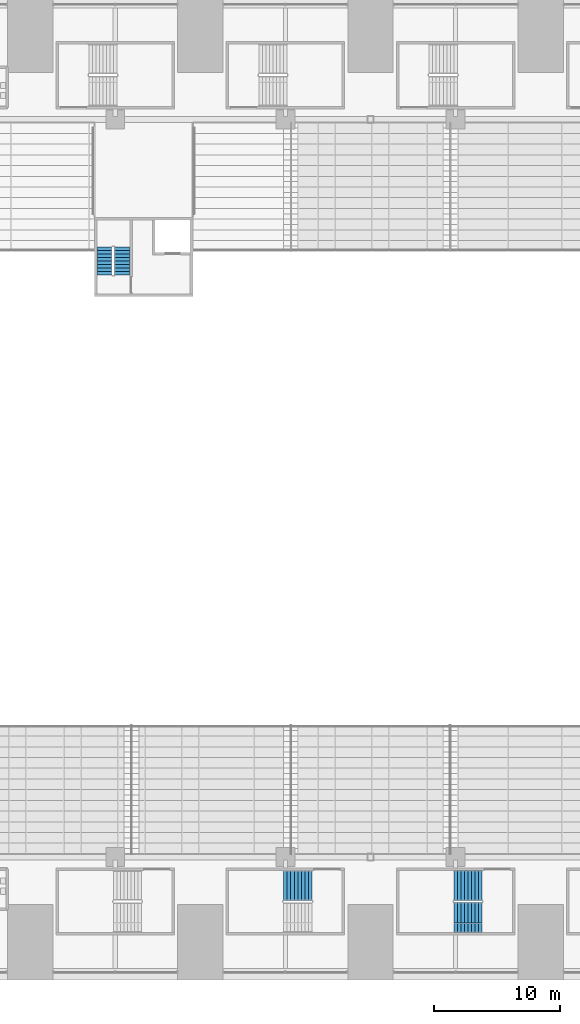
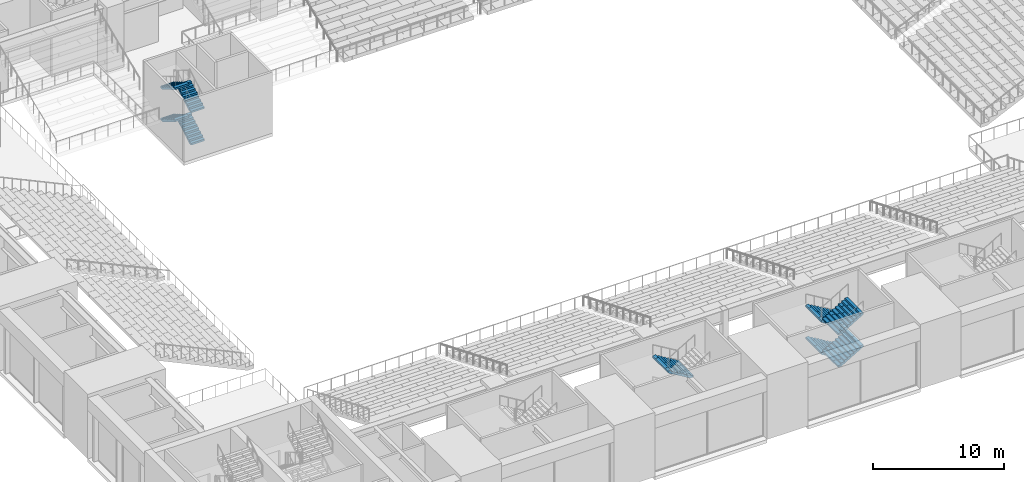
# One storey, part 38 of 61: 9 stair flights, 3 elements without a shape of their own.
"""IFC4 building model written with IfcOpenShell, lengths in metres."""

from ifc_helpers import new_model, si_unit, direction, frame, origin, place, context, subcontext, project, spatial, polyline, outline, extrude, material, type_object, element, aggregate, save


model = new_model("IFC4")

# Units and contexts
model_context = context("Model", 3, precision=1e-05, world=origin(), true_north=direction((0.0, 1.0)))
body_context = subcontext(model_context, "Body", "Model", "MODEL_VIEW")
ifc_project = project(units=[si_unit("LENGTHUNIT", "METRE"), si_unit("AREAUNIT", "SQUARE_METRE"), si_unit("VOLUMEUNIT", "CUBIC_METRE"), si_unit("PLANEANGLEUNIT", "RADIAN"), si_unit("MASSUNIT", "GRAM", prefix="KILO")], contexts=[model_context])

# Site, building, storey
site_placement = place(None, origin())
site = spatial("IfcSite", under=ifc_project, at=site_placement, CompositionType="ELEMENT")
building_placement = place(site_placement, origin())
building = spatial("IfcBuilding", under=site, at=building_placement, Name="Corbelhall Arena Tower", CompositionType="ELEMENT")
storey_placement = place(building_placement, frame((0.0, 0.0, 31.0)))
storey = spatial("IfcBuildingStorey", under=building, at=storey_placement, Name="L04", CompositionType="ELEMENT", Elevation=31.0)

# Stair, stair flight
ifc_material_1 = material(Name="Reinforced concrete C40/50", Category="concrete")
stair_type_1 = type_object("IfcStairType", Name="AR-EXIT-STAIR", PredefinedType="HALF_TURN_STAIR", material=ifc_material_1)
stair_1_placement = place(storey_placement, origin())
stair_1 = element("IfcStair", 1, at=stair_1_placement, inside=storey, type_object=stair_type_1, Name="L04 exit stair AS14", PredefinedType="HALF_TURN_STAIR")
stair_flight_type_1 = type_object("IfcStairFlightType", Name="AR-EXIT-FLIGHT", PredefinedType="STRAIGHT", material=ifc_material_1)
stair_flight_1_placement = place(storey_placement, frame((-4.64990234375, -31.5, 3.0), z_axis=(0.0, 0.0, 1.0), x_axis=(-1.0, 0.0, 0.0)))
stair_flight_1 = element("IfcStairFlight", 2, at=stair_flight_1_placement, type_object=stair_flight_type_1, Name="AS14 flight 3", NumberOfRisers=9, NumberOfTreads=8, PredefinedType="STRAIGHT", RiserHeight=0.166666667, TreadLength=0.28, context=body_context, shape_type="SweptSolid", body=[
    extrude(outline(polyline([(0.0, 0.0), (0.0, 0.166748046875), (0.280029296875, 0.166748046875), (0.280029296875, 0.333251953125), (0.56005859375, 0.333251953125), (0.56005859375, 0.5), (0.840087890625, 0.5), (0.840087890625, 0.666748046875), (1.1201171875, 0.666748046875), (1.1201171875, 0.833251953125), (1.39990234375, 0.833251953125), (1.39990234375, 1.0), (1.679931640625, 1.0), (1.679931640625, 1.166748046875), (1.9599609375, 1.166748046875), (1.9599609375, 1.333251953125), (2.239990234375, 1.333251953125), (2.239990234375, 1.5), (2.239990234375, 1.158935546875), (0.29296875, 0.0), (0.0, 0.0)])), frame((0.0, 1.199951171875, 0.0), z_axis=(0.0, -1.0, 0.0), x_axis=(1.0, 0.0, 0.0)), (0.0, 0.0, 1.0), 0.449951171875),
    extrude(outline(polyline([(0.0, 0.0), (0.0, 0.166748046875), (0.280029296875, 0.166748046875), (0.280029296875, 0.333251953125), (0.56005859375, 0.333251953125), (0.56005859375, 0.5), (0.840087890625, 0.5), (0.840087890625, 0.666748046875), (1.1201171875, 0.666748046875), (1.1201171875, 0.833251953125), (1.39990234375, 0.833251953125), (1.39990234375, 1.0), (1.679931640625, 1.0), (1.679931640625, 1.166748046875), (1.9599609375, 1.166748046875), (1.9599609375, 1.333251953125), (2.239990234375, 1.333251953125), (2.239990234375, 1.5), (2.239990234375, 1.158935546875), (0.29296875, 0.0), (0.0, 0.0)])), frame((0.0, 0.745849609375, 0.0), z_axis=(0.0, -1.0, 0.0), x_axis=(1.0, 0.0, 0.0)), (0.0, 0.0, 1.0), 0.295166015625),
    extrude(outline(polyline([(0.0, 0.0), (0.0, 0.166748046875), (0.280029296875, 0.166748046875), (0.280029296875, 0.333251953125), (0.56005859375, 0.333251953125), (0.56005859375, 0.5), (0.840087890625, 0.5), (0.840087890625, 0.666748046875), (1.1201171875, 0.666748046875), (1.1201171875, 0.833251953125), (1.39990234375, 0.833251953125), (1.39990234375, 1.0), (1.679931640625, 1.0), (1.679931640625, 1.166748046875), (1.9599609375, 1.166748046875), (1.9599609375, 1.333251953125), (2.239990234375, 1.333251953125), (2.239990234375, 1.5), (2.239990234375, 1.158935546875), (0.29296875, 0.0), (0.0, 0.0)])), frame((0.0, 0.44677734375, 0.0), z_axis=(0.0, -1.0, 0.0), x_axis=(1.0, 0.0, 0.0)), (0.0, 0.0, 1.0), 0.295166015625),
    extrude(outline(polyline([(0.0, 0.0), (0.0, 0.166748046875), (0.280029296875, 0.166748046875), (0.280029296875, 0.333251953125), (0.56005859375, 0.333251953125), (0.56005859375, 0.5), (0.840087890625, 0.5), (0.840087890625, 0.666748046875), (1.1201171875, 0.666748046875), (1.1201171875, 0.833251953125), (1.39990234375, 0.833251953125), (1.39990234375, 1.0), (1.679931640625, 1.0), (1.679931640625, 1.166748046875), (1.9599609375, 1.166748046875), (1.9599609375, 1.333251953125), (2.239990234375, 1.333251953125), (2.239990234375, 1.5), (2.239990234375, 1.158935546875), (0.29296875, 0.0), (0.0, 0.0)])), frame((0.0, 0.147705078125, 0.0), z_axis=(0.0, -1.0, 0.0), x_axis=(1.0, 0.0, 0.0)), (0.0, 0.0, 1.0), 0.295166015625),
    extrude(outline(polyline([(0.0, 0.0), (0.0, 0.166748046875), (0.280029296875, 0.166748046875), (0.280029296875, 0.333251953125), (0.56005859375, 0.333251953125), (0.56005859375, 0.5), (0.840087890625, 0.5), (0.840087890625, 0.666748046875), (1.1201171875, 0.666748046875), (1.1201171875, 0.833251953125), (1.39990234375, 0.833251953125), (1.39990234375, 1.0), (1.679931640625, 1.0), (1.679931640625, 1.166748046875), (1.9599609375, 1.166748046875), (1.9599609375, 1.333251953125), (2.239990234375, 1.333251953125), (2.239990234375, 1.5), (2.239990234375, 1.158935546875), (0.29296875, 0.0), (0.0, 0.0)])), frame((0.0, -0.151611328125, 0.0), z_axis=(0.0, -1.0, 0.0), x_axis=(1.0, 0.0, 0.0)), (0.0, 0.0, 1.0), 0.295166015625),
    extrude(outline(polyline([(0.0, 0.0), (0.0, 0.166748046875), (0.280029296875, 0.166748046875), (0.280029296875, 0.333251953125), (0.56005859375, 0.333251953125), (0.56005859375, 0.5), (0.840087890625, 0.5), (0.840087890625, 0.666748046875), (1.1201171875, 0.666748046875), (1.1201171875, 0.833251953125), (1.39990234375, 0.833251953125), (1.39990234375, 1.0), (1.679931640625, 1.0), (1.679931640625, 1.166748046875), (1.9599609375, 1.166748046875), (1.9599609375, 1.333251953125), (2.239990234375, 1.333251953125), (2.239990234375, 1.5), (2.239990234375, 1.158935546875), (0.29296875, 0.0), (0.0, 0.0)])), frame((0.0, -0.45068359375, 0.0), z_axis=(0.0, -1.0, 0.0), x_axis=(1.0, 0.0, 0.0)), (0.0, 0.0, 1.0), 0.295166015625),
    extrude(outline(polyline([(0.0, 0.0), (0.0, 0.166748046875), (0.280029296875, 0.166748046875), (0.280029296875, 0.333251953125), (0.56005859375, 0.333251953125), (0.56005859375, 0.5), (0.840087890625, 0.5), (0.840087890625, 0.666748046875), (1.1201171875, 0.666748046875), (1.1201171875, 0.833251953125), (1.39990234375, 0.833251953125), (1.39990234375, 1.0), (1.679931640625, 1.0), (1.679931640625, 1.166748046875), (1.9599609375, 1.166748046875), (1.9599609375, 1.333251953125), (2.239990234375, 1.333251953125), (2.239990234375, 1.5), (2.239990234375, 1.158935546875), (0.29296875, 0.0), (0.0, 0.0)])), frame((0.0, -0.75, 0.0), z_axis=(0.0, -1.0, 0.0), x_axis=(1.0, 0.0, 0.0)), (0.0, 0.0, 1.0), 0.449951171875),
])
aggregate(stair_1, [stair_flight_1])

# Stair, stair flights
stair_2_placement = place(storey_placement, origin())
stair_2 = element("IfcStair", 3, at=stair_2_placement, inside=storey, type_object=stair_type_1, Name="L04 exit stair AS15", PredefinedType="HALF_TURN_STAIR")
stair_flight_2_placement = place(storey_placement, frame((8.85009765625, -31.5, 0.0), z_axis=(0.0, 0.0, 1.0), x_axis=(-1.0, 0.0, 0.0)))
stair_flight_2 = element("IfcStairFlight", 4, at=stair_flight_2_placement, type_object=stair_flight_type_1, Name="AS15 flight 1", NumberOfRisers=9, NumberOfTreads=8, PredefinedType="STRAIGHT", RiserHeight=0.166666667, TreadLength=0.28, context=body_context, shape_type="SweptSolid", body=[
    extrude(outline(polyline([(0.0, 0.0), (0.0, 0.166748046875), (0.280029296875, 0.166748046875), (0.280029296875, 0.333251953125), (0.56005859375, 0.333251953125), (0.56005859375, 0.5), (0.840087890625, 0.5), (0.840087890625, 0.666748046875), (1.1201171875, 0.666748046875), (1.1201171875, 0.833251953125), (1.39990234375, 0.833251953125), (1.39990234375, 1.0), (1.679931640625, 1.0), (1.679931640625, 1.166748046875), (1.9599609375, 1.166748046875), (1.9599609375, 1.333251953125), (2.239990234375, 1.333251953125), (2.239990234375, 1.5), (2.239990234375, 1.158935546875), (0.29296875, 0.0), (0.0, 0.0)])), frame((0.0, 1.199951171875, 0.0), z_axis=(0.0, -1.0, 0.0), x_axis=(1.0, 0.0, 0.0)), (0.0, 0.0, 1.0), 0.449951171875),
    extrude(outline(polyline([(0.0, 0.0), (0.0, 0.166748046875), (0.280029296875, 0.166748046875), (0.280029296875, 0.333251953125), (0.56005859375, 0.333251953125), (0.56005859375, 0.5), (0.840087890625, 0.5), (0.840087890625, 0.666748046875), (1.1201171875, 0.666748046875), (1.1201171875, 0.833251953125), (1.39990234375, 0.833251953125), (1.39990234375, 1.0), (1.679931640625, 1.0), (1.679931640625, 1.166748046875), (1.9599609375, 1.166748046875), (1.9599609375, 1.333251953125), (2.239990234375, 1.333251953125), (2.239990234375, 1.5), (2.239990234375, 1.158935546875), (0.29296875, 0.0), (0.0, 0.0)])), frame((0.0, 0.745849609375, 0.0), z_axis=(0.0, -1.0, 0.0), x_axis=(1.0, 0.0, 0.0)), (0.0, 0.0, 1.0), 0.295166015625),
    extrude(outline(polyline([(0.0, 0.0), (0.0, 0.166748046875), (0.280029296875, 0.166748046875), (0.280029296875, 0.333251953125), (0.56005859375, 0.333251953125), (0.56005859375, 0.5), (0.840087890625, 0.5), (0.840087890625, 0.666748046875), (1.1201171875, 0.666748046875), (1.1201171875, 0.833251953125), (1.39990234375, 0.833251953125), (1.39990234375, 1.0), (1.679931640625, 1.0), (1.679931640625, 1.166748046875), (1.9599609375, 1.166748046875), (1.9599609375, 1.333251953125), (2.239990234375, 1.333251953125), (2.239990234375, 1.5), (2.239990234375, 1.158935546875), (0.29296875, 0.0), (0.0, 0.0)])), frame((0.0, 0.44677734375, 0.0), z_axis=(0.0, -1.0, 0.0), x_axis=(1.0, 0.0, 0.0)), (0.0, 0.0, 1.0), 0.295166015625),
    extrude(outline(polyline([(0.0, 0.0), (0.0, 0.166748046875), (0.280029296875, 0.166748046875), (0.280029296875, 0.333251953125), (0.56005859375, 0.333251953125), (0.56005859375, 0.5), (0.840087890625, 0.5), (0.840087890625, 0.666748046875), (1.1201171875, 0.666748046875), (1.1201171875, 0.833251953125), (1.39990234375, 0.833251953125), (1.39990234375, 1.0), (1.679931640625, 1.0), (1.679931640625, 1.166748046875), (1.9599609375, 1.166748046875), (1.9599609375, 1.333251953125), (2.239990234375, 1.333251953125), (2.239990234375, 1.5), (2.239990234375, 1.158935546875), (0.29296875, 0.0), (0.0, 0.0)])), frame((0.0, 0.147705078125, 0.0), z_axis=(0.0, -1.0, 0.0), x_axis=(1.0, 0.0, 0.0)), (0.0, 0.0, 1.0), 0.295166015625),
    extrude(outline(polyline([(0.0, 0.0), (0.0, 0.166748046875), (0.280029296875, 0.166748046875), (0.280029296875, 0.333251953125), (0.56005859375, 0.333251953125), (0.56005859375, 0.5), (0.840087890625, 0.5), (0.840087890625, 0.666748046875), (1.1201171875, 0.666748046875), (1.1201171875, 0.833251953125), (1.39990234375, 0.833251953125), (1.39990234375, 1.0), (1.679931640625, 1.0), (1.679931640625, 1.166748046875), (1.9599609375, 1.166748046875), (1.9599609375, 1.333251953125), (2.239990234375, 1.333251953125), (2.239990234375, 1.5), (2.239990234375, 1.158935546875), (0.29296875, 0.0), (0.0, 0.0)])), frame((0.0, -0.151611328125, 0.0), z_axis=(0.0, -1.0, 0.0), x_axis=(1.0, 0.0, 0.0)), (0.0, 0.0, 1.0), 0.295166015625),
    extrude(outline(polyline([(0.0, 0.0), (0.0, 0.166748046875), (0.280029296875, 0.166748046875), (0.280029296875, 0.333251953125), (0.56005859375, 0.333251953125), (0.56005859375, 0.5), (0.840087890625, 0.5), (0.840087890625, 0.666748046875), (1.1201171875, 0.666748046875), (1.1201171875, 0.833251953125), (1.39990234375, 0.833251953125), (1.39990234375, 1.0), (1.679931640625, 1.0), (1.679931640625, 1.166748046875), (1.9599609375, 1.166748046875), (1.9599609375, 1.333251953125), (2.239990234375, 1.333251953125), (2.239990234375, 1.5), (2.239990234375, 1.158935546875), (0.29296875, 0.0), (0.0, 0.0)])), frame((0.0, -0.45068359375, 0.0), z_axis=(0.0, -1.0, 0.0), x_axis=(1.0, 0.0, 0.0)), (0.0, 0.0, 1.0), 0.295166015625),
    extrude(outline(polyline([(0.0, 0.0), (0.0, 0.166748046875), (0.280029296875, 0.166748046875), (0.280029296875, 0.333251953125), (0.56005859375, 0.333251953125), (0.56005859375, 0.5), (0.840087890625, 0.5), (0.840087890625, 0.666748046875), (1.1201171875, 0.666748046875), (1.1201171875, 0.833251953125), (1.39990234375, 0.833251953125), (1.39990234375, 1.0), (1.679931640625, 1.0), (1.679931640625, 1.166748046875), (1.9599609375, 1.166748046875), (1.9599609375, 1.333251953125), (2.239990234375, 1.333251953125), (2.239990234375, 1.5), (2.239990234375, 1.158935546875), (0.29296875, 0.0), (0.0, 0.0)])), frame((0.0, -0.75, 0.0), z_axis=(0.0, -1.0, 0.0), x_axis=(1.0, 0.0, 0.0)), (0.0, 0.0, 1.0), 0.449951171875),
])
stair_flight_3_placement = place(storey_placement, frame((6.610107421875, -34.050048828125, 1.5), z_axis=(0.0, 0.0, 1.0), x_axis=(1.0, 0.0, 0.0)))
stair_flight_3 = element("IfcStairFlight", 5, at=stair_flight_3_placement, type_object=stair_flight_type_1, Name="AS15 flight 2", NumberOfRisers=9, NumberOfTreads=8, PredefinedType="STRAIGHT", RiserHeight=0.166666667, TreadLength=0.28, context=body_context, shape_type="SweptSolid", body=[
    extrude(outline(polyline([(0.0, 0.0), (0.0, 0.166748046875), (0.280029296875, 0.166748046875), (0.280029296875, 0.333251953125), (0.56005859375, 0.333251953125), (0.56005859375, 0.5), (0.840087890625, 0.5), (0.840087890625, 0.666748046875), (1.1201171875, 0.666748046875), (1.1201171875, 0.833251953125), (1.39990234375, 0.833251953125), (1.39990234375, 1.0), (1.679931640625, 1.0), (1.679931640625, 1.166748046875), (1.9599609375, 1.166748046875), (1.9599609375, 1.333251953125), (2.239990234375, 1.333251953125), (2.239990234375, 1.5), (2.239990234375, 1.158935546875), (0.29296875, 0.0), (0.0, 0.0)])), frame((0.0, 1.199951171875, 0.0), z_axis=(0.0, -1.0, 0.0), x_axis=(1.0, 0.0, 0.0)), (0.0, 0.0, 1.0), 0.449951171875),
    extrude(outline(polyline([(0.0, 0.0), (0.0, 0.166748046875), (0.280029296875, 0.166748046875), (0.280029296875, 0.333251953125), (0.56005859375, 0.333251953125), (0.56005859375, 0.5), (0.840087890625, 0.5), (0.840087890625, 0.666748046875), (1.1201171875, 0.666748046875), (1.1201171875, 0.833251953125), (1.39990234375, 0.833251953125), (1.39990234375, 1.0), (1.679931640625, 1.0), (1.679931640625, 1.166748046875), (1.9599609375, 1.166748046875), (1.9599609375, 1.333251953125), (2.239990234375, 1.333251953125), (2.239990234375, 1.5), (2.239990234375, 1.158935546875), (0.29296875, 0.0), (0.0, 0.0)])), frame((0.0, 0.745849609375, 0.0), z_axis=(0.0, -1.0, 0.0), x_axis=(1.0, 0.0, 0.0)), (0.0, 0.0, 1.0), 0.295166015625),
    extrude(outline(polyline([(0.0, 0.0), (0.0, 0.166748046875), (0.280029296875, 0.166748046875), (0.280029296875, 0.333251953125), (0.56005859375, 0.333251953125), (0.56005859375, 0.5), (0.840087890625, 0.5), (0.840087890625, 0.666748046875), (1.1201171875, 0.666748046875), (1.1201171875, 0.833251953125), (1.39990234375, 0.833251953125), (1.39990234375, 1.0), (1.679931640625, 1.0), (1.679931640625, 1.166748046875), (1.9599609375, 1.166748046875), (1.9599609375, 1.333251953125), (2.239990234375, 1.333251953125), (2.239990234375, 1.5), (2.239990234375, 1.158935546875), (0.29296875, 0.0), (0.0, 0.0)])), frame((0.0, 0.44677734375, 0.0), z_axis=(0.0, -1.0, 0.0), x_axis=(1.0, 0.0, 0.0)), (0.0, 0.0, 1.0), 0.295166015625),
    extrude(outline(polyline([(0.0, 0.0), (0.0, 0.166748046875), (0.280029296875, 0.166748046875), (0.280029296875, 0.333251953125), (0.56005859375, 0.333251953125), (0.56005859375, 0.5), (0.840087890625, 0.5), (0.840087890625, 0.666748046875), (1.1201171875, 0.666748046875), (1.1201171875, 0.833251953125), (1.39990234375, 0.833251953125), (1.39990234375, 1.0), (1.679931640625, 1.0), (1.679931640625, 1.166748046875), (1.9599609375, 1.166748046875), (1.9599609375, 1.333251953125), (2.239990234375, 1.333251953125), (2.239990234375, 1.5), (2.239990234375, 1.158935546875), (0.29296875, 0.0), (0.0, 0.0)])), frame((0.0, 0.147705078125, 0.0), z_axis=(0.0, -1.0, 0.0), x_axis=(1.0, 0.0, 0.0)), (0.0, 0.0, 1.0), 0.295166015625),
    extrude(outline(polyline([(0.0, 0.0), (0.0, 0.166748046875), (0.280029296875, 0.166748046875), (0.280029296875, 0.333251953125), (0.56005859375, 0.333251953125), (0.56005859375, 0.5), (0.840087890625, 0.5), (0.840087890625, 0.666748046875), (1.1201171875, 0.666748046875), (1.1201171875, 0.833251953125), (1.39990234375, 0.833251953125), (1.39990234375, 1.0), (1.679931640625, 1.0), (1.679931640625, 1.166748046875), (1.9599609375, 1.166748046875), (1.9599609375, 1.333251953125), (2.239990234375, 1.333251953125), (2.239990234375, 1.5), (2.239990234375, 1.158935546875), (0.29296875, 0.0), (0.0, 0.0)])), frame((0.0, -0.151611328125, 0.0), z_axis=(0.0, -1.0, 0.0), x_axis=(1.0, 0.0, 0.0)), (0.0, 0.0, 1.0), 0.295166015625),
    extrude(outline(polyline([(0.0, 0.0), (0.0, 0.166748046875), (0.280029296875, 0.166748046875), (0.280029296875, 0.333251953125), (0.56005859375, 0.333251953125), (0.56005859375, 0.5), (0.840087890625, 0.5), (0.840087890625, 0.666748046875), (1.1201171875, 0.666748046875), (1.1201171875, 0.833251953125), (1.39990234375, 0.833251953125), (1.39990234375, 1.0), (1.679931640625, 1.0), (1.679931640625, 1.166748046875), (1.9599609375, 1.166748046875), (1.9599609375, 1.333251953125), (2.239990234375, 1.333251953125), (2.239990234375, 1.5), (2.239990234375, 1.158935546875), (0.29296875, 0.0), (0.0, 0.0)])), frame((0.0, -0.45068359375, 0.0), z_axis=(0.0, -1.0, 0.0), x_axis=(1.0, 0.0, 0.0)), (0.0, 0.0, 1.0), 0.295166015625),
    extrude(outline(polyline([(0.0, 0.0), (0.0, 0.166748046875), (0.280029296875, 0.166748046875), (0.280029296875, 0.333251953125), (0.56005859375, 0.333251953125), (0.56005859375, 0.5), (0.840087890625, 0.5), (0.840087890625, 0.666748046875), (1.1201171875, 0.666748046875), (1.1201171875, 0.833251953125), (1.39990234375, 0.833251953125), (1.39990234375, 1.0), (1.679931640625, 1.0), (1.679931640625, 1.166748046875), (1.9599609375, 1.166748046875), (1.9599609375, 1.333251953125), (2.239990234375, 1.333251953125), (2.239990234375, 1.5), (2.239990234375, 1.158935546875), (0.29296875, 0.0), (0.0, 0.0)])), frame((0.0, -0.75, 0.0), z_axis=(0.0, -1.0, 0.0), x_axis=(1.0, 0.0, 0.0)), (0.0, 0.0, 1.0), 0.449951171875),
])
stair_flight_4_placement = place(storey_placement, frame((8.85009765625, -31.5, 3.0), z_axis=(0.0, 0.0, 1.0), x_axis=(-1.0, 0.0, 0.0)))
stair_flight_4 = element("IfcStairFlight", 6, at=stair_flight_4_placement, type_object=stair_flight_type_1, Name="AS15 flight 3", NumberOfRisers=9, NumberOfTreads=8, PredefinedType="STRAIGHT", RiserHeight=0.166666667, TreadLength=0.28, context=body_context, shape_type="SweptSolid", body=[
    extrude(outline(polyline([(0.0, 0.0), (0.0, 0.166748046875), (0.280029296875, 0.166748046875), (0.280029296875, 0.333251953125), (0.56005859375, 0.333251953125), (0.56005859375, 0.5), (0.840087890625, 0.5), (0.840087890625, 0.666748046875), (1.1201171875, 0.666748046875), (1.1201171875, 0.833251953125), (1.39990234375, 0.833251953125), (1.39990234375, 1.0), (1.679931640625, 1.0), (1.679931640625, 1.166748046875), (1.9599609375, 1.166748046875), (1.9599609375, 1.333251953125), (2.239990234375, 1.333251953125), (2.239990234375, 1.5), (2.239990234375, 1.158935546875), (0.29296875, 0.0), (0.0, 0.0)])), frame((0.0, 1.199951171875, 0.0), z_axis=(0.0, -1.0, 0.0), x_axis=(1.0, 0.0, 0.0)), (0.0, 0.0, 1.0), 0.449951171875),
    extrude(outline(polyline([(0.0, 0.0), (0.0, 0.166748046875), (0.280029296875, 0.166748046875), (0.280029296875, 0.333251953125), (0.56005859375, 0.333251953125), (0.56005859375, 0.5), (0.840087890625, 0.5), (0.840087890625, 0.666748046875), (1.1201171875, 0.666748046875), (1.1201171875, 0.833251953125), (1.39990234375, 0.833251953125), (1.39990234375, 1.0), (1.679931640625, 1.0), (1.679931640625, 1.166748046875), (1.9599609375, 1.166748046875), (1.9599609375, 1.333251953125), (2.239990234375, 1.333251953125), (2.239990234375, 1.5), (2.239990234375, 1.158935546875), (0.29296875, 0.0), (0.0, 0.0)])), frame((0.0, 0.745849609375, 0.0), z_axis=(0.0, -1.0, 0.0), x_axis=(1.0, 0.0, 0.0)), (0.0, 0.0, 1.0), 0.295166015625),
    extrude(outline(polyline([(0.0, 0.0), (0.0, 0.166748046875), (0.280029296875, 0.166748046875), (0.280029296875, 0.333251953125), (0.56005859375, 0.333251953125), (0.56005859375, 0.5), (0.840087890625, 0.5), (0.840087890625, 0.666748046875), (1.1201171875, 0.666748046875), (1.1201171875, 0.833251953125), (1.39990234375, 0.833251953125), (1.39990234375, 1.0), (1.679931640625, 1.0), (1.679931640625, 1.166748046875), (1.9599609375, 1.166748046875), (1.9599609375, 1.333251953125), (2.239990234375, 1.333251953125), (2.239990234375, 1.5), (2.239990234375, 1.158935546875), (0.29296875, 0.0), (0.0, 0.0)])), frame((0.0, 0.44677734375, 0.0), z_axis=(0.0, -1.0, 0.0), x_axis=(1.0, 0.0, 0.0)), (0.0, 0.0, 1.0), 0.295166015625),
    extrude(outline(polyline([(0.0, 0.0), (0.0, 0.166748046875), (0.280029296875, 0.166748046875), (0.280029296875, 0.333251953125), (0.56005859375, 0.333251953125), (0.56005859375, 0.5), (0.840087890625, 0.5), (0.840087890625, 0.666748046875), (1.1201171875, 0.666748046875), (1.1201171875, 0.833251953125), (1.39990234375, 0.833251953125), (1.39990234375, 1.0), (1.679931640625, 1.0), (1.679931640625, 1.166748046875), (1.9599609375, 1.166748046875), (1.9599609375, 1.333251953125), (2.239990234375, 1.333251953125), (2.239990234375, 1.5), (2.239990234375, 1.158935546875), (0.29296875, 0.0), (0.0, 0.0)])), frame((0.0, 0.147705078125, 0.0), z_axis=(0.0, -1.0, 0.0), x_axis=(1.0, 0.0, 0.0)), (0.0, 0.0, 1.0), 0.295166015625),
    extrude(outline(polyline([(0.0, 0.0), (0.0, 0.166748046875), (0.280029296875, 0.166748046875), (0.280029296875, 0.333251953125), (0.56005859375, 0.333251953125), (0.56005859375, 0.5), (0.840087890625, 0.5), (0.840087890625, 0.666748046875), (1.1201171875, 0.666748046875), (1.1201171875, 0.833251953125), (1.39990234375, 0.833251953125), (1.39990234375, 1.0), (1.679931640625, 1.0), (1.679931640625, 1.166748046875), (1.9599609375, 1.166748046875), (1.9599609375, 1.333251953125), (2.239990234375, 1.333251953125), (2.239990234375, 1.5), (2.239990234375, 1.158935546875), (0.29296875, 0.0), (0.0, 0.0)])), frame((0.0, -0.151611328125, 0.0), z_axis=(0.0, -1.0, 0.0), x_axis=(1.0, 0.0, 0.0)), (0.0, 0.0, 1.0), 0.295166015625),
    extrude(outline(polyline([(0.0, 0.0), (0.0, 0.166748046875), (0.280029296875, 0.166748046875), (0.280029296875, 0.333251953125), (0.56005859375, 0.333251953125), (0.56005859375, 0.5), (0.840087890625, 0.5), (0.840087890625, 0.666748046875), (1.1201171875, 0.666748046875), (1.1201171875, 0.833251953125), (1.39990234375, 0.833251953125), (1.39990234375, 1.0), (1.679931640625, 1.0), (1.679931640625, 1.166748046875), (1.9599609375, 1.166748046875), (1.9599609375, 1.333251953125), (2.239990234375, 1.333251953125), (2.239990234375, 1.5), (2.239990234375, 1.158935546875), (0.29296875, 0.0), (0.0, 0.0)])), frame((0.0, -0.45068359375, 0.0), z_axis=(0.0, -1.0, 0.0), x_axis=(1.0, 0.0, 0.0)), (0.0, 0.0, 1.0), 0.295166015625),
    extrude(outline(polyline([(0.0, 0.0), (0.0, 0.166748046875), (0.280029296875, 0.166748046875), (0.280029296875, 0.333251953125), (0.56005859375, 0.333251953125), (0.56005859375, 0.5), (0.840087890625, 0.5), (0.840087890625, 0.666748046875), (1.1201171875, 0.666748046875), (1.1201171875, 0.833251953125), (1.39990234375, 0.833251953125), (1.39990234375, 1.0), (1.679931640625, 1.0), (1.679931640625, 1.166748046875), (1.9599609375, 1.166748046875), (1.9599609375, 1.333251953125), (2.239990234375, 1.333251953125), (2.239990234375, 1.5), (2.239990234375, 1.158935546875), (0.29296875, 0.0), (0.0, 0.0)])), frame((0.0, -0.75, 0.0), z_axis=(0.0, -1.0, 0.0), x_axis=(1.0, 0.0, 0.0)), (0.0, 0.0, 1.0), 0.449951171875),
])
stair_flight_5_placement = place(storey_placement, frame((6.610107421875, -34.050048828125, 4.5), z_axis=(0.0, 0.0, 1.0), x_axis=(1.0, 0.0, 0.0)))
stair_flight_5 = element("IfcStairFlight", 7, at=stair_flight_5_placement, type_object=stair_flight_type_1, Name="AS15 flight 4", NumberOfRisers=9, NumberOfTreads=8, PredefinedType="STRAIGHT", RiserHeight=0.166666667, TreadLength=0.28, context=body_context, shape_type="SweptSolid", body=[
    extrude(outline(polyline([(0.0, 0.0), (0.0, 0.166748046875), (0.280029296875, 0.166748046875), (0.280029296875, 0.333251953125), (0.56005859375, 0.333251953125), (0.56005859375, 0.5), (0.840087890625, 0.5), (0.840087890625, 0.666748046875), (1.1201171875, 0.666748046875), (1.1201171875, 0.833251953125), (1.39990234375, 0.833251953125), (1.39990234375, 1.0), (1.679931640625, 1.0), (1.679931640625, 1.166748046875), (1.9599609375, 1.166748046875), (1.9599609375, 1.333251953125), (2.239990234375, 1.333251953125), (2.239990234375, 1.5), (2.239990234375, 1.158935546875), (0.29296875, 0.0), (0.0, 0.0)])), frame((0.0, 1.199951171875, 0.0), z_axis=(0.0, -1.0, 0.0), x_axis=(1.0, 0.0, 0.0)), (0.0, 0.0, 1.0), 0.449951171875),
    extrude(outline(polyline([(0.0, 0.0), (0.0, 0.166748046875), (0.280029296875, 0.166748046875), (0.280029296875, 0.333251953125), (0.56005859375, 0.333251953125), (0.56005859375, 0.5), (0.840087890625, 0.5), (0.840087890625, 0.666748046875), (1.1201171875, 0.666748046875), (1.1201171875, 0.833251953125), (1.39990234375, 0.833251953125), (1.39990234375, 1.0), (1.679931640625, 1.0), (1.679931640625, 1.166748046875), (1.9599609375, 1.166748046875), (1.9599609375, 1.333251953125), (2.239990234375, 1.333251953125), (2.239990234375, 1.5), (2.239990234375, 1.158935546875), (0.29296875, 0.0), (0.0, 0.0)])), frame((0.0, 0.745849609375, 0.0), z_axis=(0.0, -1.0, 0.0), x_axis=(1.0, 0.0, 0.0)), (0.0, 0.0, 1.0), 0.295166015625),
    extrude(outline(polyline([(0.0, 0.0), (0.0, 0.166748046875), (0.280029296875, 0.166748046875), (0.280029296875, 0.333251953125), (0.56005859375, 0.333251953125), (0.56005859375, 0.5), (0.840087890625, 0.5), (0.840087890625, 0.666748046875), (1.1201171875, 0.666748046875), (1.1201171875, 0.833251953125), (1.39990234375, 0.833251953125), (1.39990234375, 1.0), (1.679931640625, 1.0), (1.679931640625, 1.166748046875), (1.9599609375, 1.166748046875), (1.9599609375, 1.333251953125), (2.239990234375, 1.333251953125), (2.239990234375, 1.5), (2.239990234375, 1.158935546875), (0.29296875, 0.0), (0.0, 0.0)])), frame((0.0, 0.44677734375, 0.0), z_axis=(0.0, -1.0, 0.0), x_axis=(1.0, 0.0, 0.0)), (0.0, 0.0, 1.0), 0.295166015625),
    extrude(outline(polyline([(0.0, 0.0), (0.0, 0.166748046875), (0.280029296875, 0.166748046875), (0.280029296875, 0.333251953125), (0.56005859375, 0.333251953125), (0.56005859375, 0.5), (0.840087890625, 0.5), (0.840087890625, 0.666748046875), (1.1201171875, 0.666748046875), (1.1201171875, 0.833251953125), (1.39990234375, 0.833251953125), (1.39990234375, 1.0), (1.679931640625, 1.0), (1.679931640625, 1.166748046875), (1.9599609375, 1.166748046875), (1.9599609375, 1.333251953125), (2.239990234375, 1.333251953125), (2.239990234375, 1.5), (2.239990234375, 1.158935546875), (0.29296875, 0.0), (0.0, 0.0)])), frame((0.0, 0.147705078125, 0.0), z_axis=(0.0, -1.0, 0.0), x_axis=(1.0, 0.0, 0.0)), (0.0, 0.0, 1.0), 0.295166015625),
    extrude(outline(polyline([(0.0, 0.0), (0.0, 0.166748046875), (0.280029296875, 0.166748046875), (0.280029296875, 0.333251953125), (0.56005859375, 0.333251953125), (0.56005859375, 0.5), (0.840087890625, 0.5), (0.840087890625, 0.666748046875), (1.1201171875, 0.666748046875), (1.1201171875, 0.833251953125), (1.39990234375, 0.833251953125), (1.39990234375, 1.0), (1.679931640625, 1.0), (1.679931640625, 1.166748046875), (1.9599609375, 1.166748046875), (1.9599609375, 1.333251953125), (2.239990234375, 1.333251953125), (2.239990234375, 1.5), (2.239990234375, 1.158935546875), (0.29296875, 0.0), (0.0, 0.0)])), frame((0.0, -0.151611328125, 0.0), z_axis=(0.0, -1.0, 0.0), x_axis=(1.0, 0.0, 0.0)), (0.0, 0.0, 1.0), 0.295166015625),
    extrude(outline(polyline([(0.0, 0.0), (0.0, 0.166748046875), (0.280029296875, 0.166748046875), (0.280029296875, 0.333251953125), (0.56005859375, 0.333251953125), (0.56005859375, 0.5), (0.840087890625, 0.5), (0.840087890625, 0.666748046875), (1.1201171875, 0.666748046875), (1.1201171875, 0.833251953125), (1.39990234375, 0.833251953125), (1.39990234375, 1.0), (1.679931640625, 1.0), (1.679931640625, 1.166748046875), (1.9599609375, 1.166748046875), (1.9599609375, 1.333251953125), (2.239990234375, 1.333251953125), (2.239990234375, 1.5), (2.239990234375, 1.158935546875), (0.29296875, 0.0), (0.0, 0.0)])), frame((0.0, -0.45068359375, 0.0), z_axis=(0.0, -1.0, 0.0), x_axis=(1.0, 0.0, 0.0)), (0.0, 0.0, 1.0), 0.295166015625),
    extrude(outline(polyline([(0.0, 0.0), (0.0, 0.166748046875), (0.280029296875, 0.166748046875), (0.280029296875, 0.333251953125), (0.56005859375, 0.333251953125), (0.56005859375, 0.5), (0.840087890625, 0.5), (0.840087890625, 0.666748046875), (1.1201171875, 0.666748046875), (1.1201171875, 0.833251953125), (1.39990234375, 0.833251953125), (1.39990234375, 1.0), (1.679931640625, 1.0), (1.679931640625, 1.166748046875), (1.9599609375, 1.166748046875), (1.9599609375, 1.333251953125), (2.239990234375, 1.333251953125), (2.239990234375, 1.5), (2.239990234375, 1.158935546875), (0.29296875, 0.0), (0.0, 0.0)])), frame((0.0, -0.75, 0.0), z_axis=(0.0, -1.0, 0.0), x_axis=(1.0, 0.0, 0.0)), (0.0, 0.0, 1.0), 0.449951171875),
])
aggregate(stair_2, [stair_flight_2, stair_flight_3, stair_flight_4, stair_flight_5])

ifc_material_2 = material(Name="Concrete C40/50", Category="concrete")
stair_type_2 = type_object("IfcStairType", Name="IN-ST-TOWER", PredefinedType="HALF_TURN_STAIR", material=ifc_material_2)
stair_3_placement = place(storey_placement, origin())
stair_3 = element("IfcStair", 8, at=stair_3_placement, inside=storey, type_object=stair_type_2, Name="L04 Exit stair AS17", PredefinedType="HALF_TURN_STAIR")
stair_flight_type_2 = type_object("IfcStairFlightType", Name="IN-SFL-RC", PredefinedType="STRAIGHT", material=ifc_material_2)
stair_flight_6_placement = place(storey_placement, frame((-19.695068359375, 16.89990234375, 0.0), z_axis=(0.0, 0.0, 1.0), x_axis=(0.0, 1.0, 0.0)))
stair_flight_6 = element("IfcStairFlight", 9, at=stair_flight_6_placement, type_object=stair_flight_type_2, Name="AS17 flight 1", NumberOfRisers=9, NumberOfTreads=8, PredefinedType="STRAIGHT", RiserHeight=0.166666667, TreadLength=0.28, context=body_context, shape_type="SweptSolid", body=[
    extrude(outline(polyline([(0.0, 0.0), (0.0, 0.166748046875), (0.280029296875, 0.166748046875), (0.280029296875, 0.333251953125), (0.56005859375, 0.333251953125), (0.56005859375, 0.5), (0.840087890625, 0.5), (0.840087890625, 0.666748046875), (1.1201171875, 0.666748046875), (1.1201171875, 0.833251953125), (1.39990234375, 0.833251953125), (1.39990234375, 1.0), (1.679931640625, 1.0), (1.679931640625, 1.166748046875), (1.9599609375, 1.166748046875), (1.9599609375, 1.333251953125), (2.239990234375, 1.333251953125), (2.239990234375, 1.5), (2.239990234375, 1.158935546875), (0.29296875, 0.0), (0.0, 0.0)])), frame((0.0, 0.60009765625, 0.0), z_axis=(0.0, -1.0, 0.0), x_axis=(1.0, 0.0, 0.0)), (0.0, 0.0, 1.0), 1.199951171875),
])
stair_flight_7_placement = place(storey_placement, frame((-21.094970703125, 19.139892578125, 1.5), z_axis=(0.0, 0.0, 1.0), x_axis=(0.0, -1.0, 0.0)))
stair_flight_7 = element("IfcStairFlight", 10, at=stair_flight_7_placement, type_object=stair_flight_type_2, Name="AS17 flight 2", NumberOfRisers=9, NumberOfTreads=8, PredefinedType="STRAIGHT", RiserHeight=0.166666667, TreadLength=0.28, context=body_context, shape_type="SweptSolid", body=[
    extrude(outline(polyline([(0.0, 0.0), (0.0, 0.166748046875), (0.280029296875, 0.166748046875), (0.280029296875, 0.333251953125), (0.56005859375, 0.333251953125), (0.56005859375, 0.5), (0.840087890625, 0.5), (0.840087890625, 0.666748046875), (1.1201171875, 0.666748046875), (1.1201171875, 0.833251953125), (1.39990234375, 0.833251953125), (1.39990234375, 1.0), (1.679931640625, 1.0), (1.679931640625, 1.166748046875), (1.9599609375, 1.166748046875), (1.9599609375, 1.333251953125), (2.239990234375, 1.333251953125), (2.239990234375, 1.5), (2.239990234375, 1.158935546875), (0.29296875, 0.0), (0.0, 0.0)])), frame((0.0, 0.60009765625, 0.0), z_axis=(0.0, -1.0, 0.0), x_axis=(1.0, 0.0, 0.0)), (0.0, 0.0, 1.0), 1.199951171875),
])
stair_flight_8_placement = place(storey_placement, frame((-19.695068359375, 16.89990234375, 3.0), z_axis=(0.0, 0.0, 1.0), x_axis=(0.0, 1.0, 0.0)))
stair_flight_8 = element("IfcStairFlight", 11, at=stair_flight_8_placement, type_object=stair_flight_type_2, Name="AS17 flight 3", NumberOfRisers=9, NumberOfTreads=8, PredefinedType="STRAIGHT", RiserHeight=0.166666667, TreadLength=0.28, context=body_context, shape_type="SweptSolid", body=[
    extrude(outline(polyline([(0.0, 0.0), (0.0, 0.166748046875), (0.280029296875, 0.166748046875), (0.280029296875, 0.333251953125), (0.56005859375, 0.333251953125), (0.56005859375, 0.5), (0.840087890625, 0.5), (0.840087890625, 0.666748046875), (1.1201171875, 0.666748046875), (1.1201171875, 0.833251953125), (1.39990234375, 0.833251953125), (1.39990234375, 1.0), (1.679931640625, 1.0), (1.679931640625, 1.166748046875), (1.9599609375, 1.166748046875), (1.9599609375, 1.333251953125), (2.239990234375, 1.333251953125), (2.239990234375, 1.5), (2.239990234375, 1.158935546875), (0.29296875, 0.0), (0.0, 0.0)])), frame((0.0, 0.60009765625, 0.0), z_axis=(0.0, -1.0, 0.0), x_axis=(1.0, 0.0, 0.0)), (0.0, 0.0, 1.0), 1.199951171875),
])
stair_flight_9_placement = place(storey_placement, frame((-21.094970703125, 19.139892578125, 4.5), z_axis=(0.0, 0.0, 1.0), x_axis=(0.0, -1.0, 0.0)))
stair_flight_9 = element("IfcStairFlight", 12, at=stair_flight_9_placement, type_object=stair_flight_type_2, Name="AS17 flight 4", NumberOfRisers=9, NumberOfTreads=8, PredefinedType="STRAIGHT", RiserHeight=0.166666667, TreadLength=0.28, context=body_context, shape_type="SweptSolid", body=[
    extrude(outline(polyline([(0.0, 0.0), (0.0, 0.166748046875), (0.280029296875, 0.166748046875), (0.280029296875, 0.333251953125), (0.56005859375, 0.333251953125), (0.56005859375, 0.5), (0.840087890625, 0.5), (0.840087890625, 0.666748046875), (1.1201171875, 0.666748046875), (1.1201171875, 0.833251953125), (1.39990234375, 0.833251953125), (1.39990234375, 1.0), (1.679931640625, 1.0), (1.679931640625, 1.166748046875), (1.9599609375, 1.166748046875), (1.9599609375, 1.333251953125), (2.239990234375, 1.333251953125), (2.239990234375, 1.5), (2.239990234375, 1.158935546875), (0.29296875, 0.0), (0.0, 0.0)])), frame((0.0, 0.60009765625, 0.0), z_axis=(0.0, -1.0, 0.0), x_axis=(1.0, 0.0, 0.0)), (0.0, 0.0, 1.0), 1.199951171875),
])
aggregate(stair_3, [stair_flight_6, stair_flight_7, stair_flight_8, stair_flight_9])

save(model, "model.ifc")
